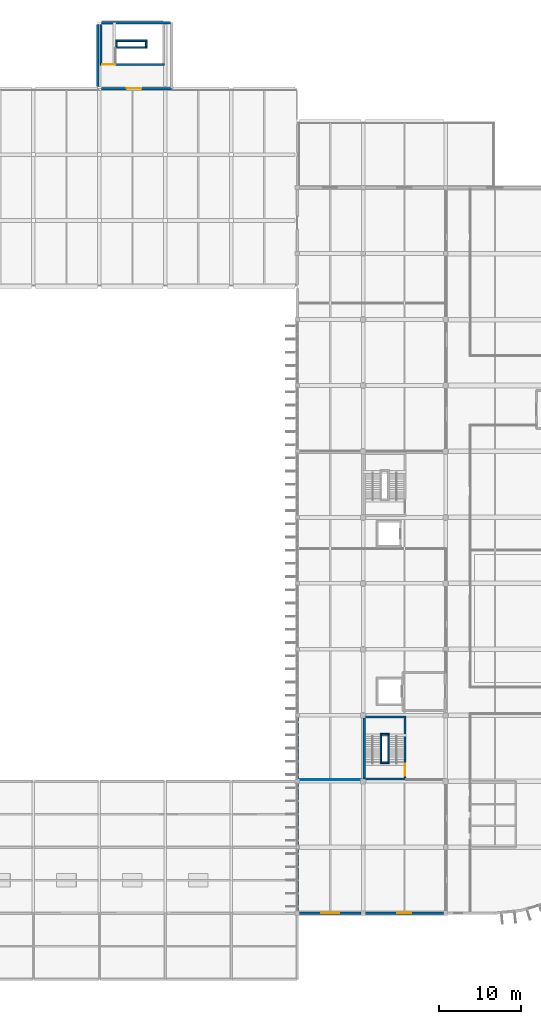
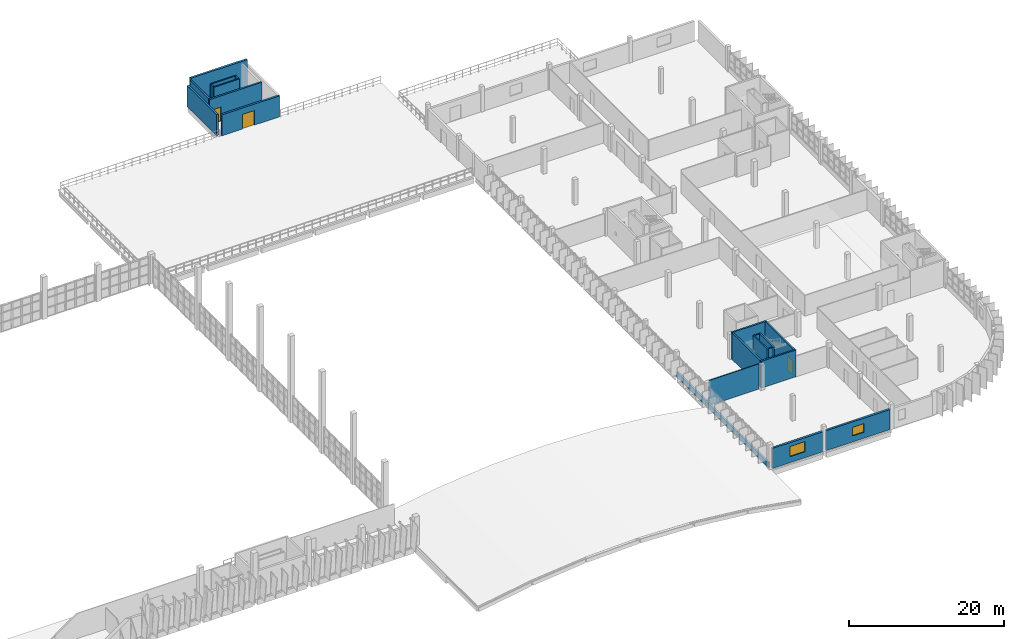
# One storey, part 50 of 66: 23 walls, 3 doors, 2 windows, 5 openings.
"""IFC4 building model written with IfcOpenShell, lengths in metres."""

from ifc_helpers import new_model, si_unit, direction, frame, frame_2d, origin, place, context, subcontext, project, spatial, rectangle, extrude, material, layer, layer_set, type_object, element, fill, save


model = new_model("IFC4")

# Units and contexts
model_context = context("Model", 3, precision=1e-05, world=origin(), true_north=direction((0.0, 1.0)))
body_context = subcontext(model_context, "Body", "Model", "MODEL_VIEW")
ifc_project = project(units=[si_unit("LENGTHUNIT", "METRE"), si_unit("AREAUNIT", "SQUARE_METRE"), si_unit("VOLUMEUNIT", "CUBIC_METRE"), si_unit("PLANEANGLEUNIT", "RADIAN"), si_unit("MASSUNIT", "GRAM", prefix="KILO")], contexts=[model_context])

# Site, building, storey
site_placement = place(None, origin())
site = spatial("IfcSite", under=ifc_project, at=site_placement, CompositionType="ELEMENT")
building_placement = place(site_placement, origin())
building = spatial("IfcBuilding", under=site, at=building_placement, Name="Drelvana Railside Aquatics Centre", CompositionType="ELEMENT")
storey_placement = place(building_placement, frame((0.0, 0.0, 10.199951171875)))
storey = spatial("IfcBuildingStorey", under=building, at=storey_placement, Name="L02", CompositionType="ELEMENT", Elevation=10.199951171875)

# Wall, opening, door
ifc_material_1 = material(Name="Concrete C40/50", Category="concrete")
ifc_layer_1 = layer(ifc_material_1, 0.25, Name="Concrete C40/50")
ifc_layer_set_1 = layer_set([ifc_layer_1], Name="Concrete C40/50")
wall_type_1 = type_object("IfcWallType", Name="WL-CORE-250", PredefinedType="SHEAR", material=ifc_layer_set_1)
wall_1_placement = place(storey_placement, frame((120.10009765625, 110.925048828125, 0.0), z_axis=(0.0, 0.0, 1.0), x_axis=(1.0, 0.0, 0.0)))
wall_1 = element("IfcWall", 1, at=wall_1_placement, inside=storey, type_object=wall_type_1, Name="Core 5 Changing Pavilion North S core wall (L02)", PredefinedType="SHEAR", context=body_context, shape_type="SweptSolid", body=[
    extrude(rectangle(XDim=7.7998046875, YDim=0.25, at=frame_2d((3.89990234375, 0.0))), origin(), (0.0, 0.0, 1.0), 3.9599609375),
])
opening_1_placement = place(wall_1_placement, frame((0.25, 0.0, 0.0)))
opening_1 = element("IfcOpeningElement", 2, at=opening_1_placement, cuts=wall_1, Name="Opening D-01-034", PredefinedType="OPENING", context=body_context, shape_type="SweptSolid", body=[
    extrude(rectangle(XDim=1.449951171875, YDim=2.199951171875, at=frame_2d((0.72509765625, 1.10009765625))), frame((0.0, 0.135009765625, 0.0), z_axis=(0.0, -1.0, 0.0), x_axis=(1.0, 0.0, 0.0)), (0.0, 0.0, 1.0), 0.27001953125),
])
ifc_material_2 = material(Name="Fire-rated steel and vision-panel door", Category="steel")
door_type_1 = type_object("IfcDoorType", Name="DR-INT-STAIR-1450x2200", OperationType="DOUBLE_DOOR_SINGLE_SWING", PredefinedType="DOOR", material=ifc_material_2)
door_1_placement = place(opening_1_placement, origin())
door_1 = element("IfcDoor", 3, at=door_1_placement, inside=storey, type_object=door_type_1, Name="Stair ST-05 lobby door D-01-034", OperationType="DOUBLE_DOOR_SINGLE_SWING", OverallHeight=2.199951171875, OverallWidth=1.449951171875, PredefinedType="DOOR", context=body_context, shape_type="SweptSolid", body=[
    extrude(rectangle(XDim=1.449951171875, YDim=2.199951171875, at=frame_2d((0.72509765625, 1.10009765625))), frame((0.0, 0.02490234375, 0.0), z_axis=(0.0, -1.0, 0.0), x_axis=(1.0, 0.0, 0.0)), (0.0, 0.0, 1.0), 0.050048828125),
])
fill(opening_1, door_1)

# Walls
wall_2_placement = place(storey_placement, frame((120.22509765625, 111.050048828125, 0.0), z_axis=(0.0, 0.0, 1.0), x_axis=(0.0, 1.0, 0.0)))
element("IfcWall", 4, at=wall_2_placement, inside=storey, type_object=wall_type_1, Name="Core 5 Changing Pavilion North W core wall (L02)", PredefinedType="SHEAR", context=body_context, shape_type="SweptSolid", body=[
    extrude(rectangle(XDim=4.699951171875, YDim=0.25, at=frame_2d((2.35009765625, 0.0))), origin(), (0.0, 0.0, 1.0), 3.9599609375),
])
for number, where, z_axis, x_axis, name in (
    (5, (152.0, 24.284912109375, 0.0), (0.0, 0.0, 1.0), (1.0, 0.0, 0.0), "Core 6 Federation Wing Court-West S core wall (L02)"),
    (6, (152.0, 31.77490234375, 0.0), (0.0, 0.0, 1.0), (1.0, 0.0, 0.0), "Core 6 Federation Wing Court-West N core wall (L02)"),
):
    element("IfcWall", number, at=place(storey_placement, frame(where, z_axis=z_axis, x_axis=x_axis)), inside=storey, type_object=wall_type_1, Name=name, PredefinedType="SHEAR", context=body_context, shape_type="SweptSolid", body=[
        extrude(rectangle(XDim=5.199951171875, YDim=0.25, at=frame_2d((2.60009765625, 0.0))), origin(), (0.0, 0.0, 1.0), 4.199951171875),
    ])
wall_3_placement = place(storey_placement, frame((152.125, 24.409912109375, 0.0), z_axis=(0.0, 0.0, 1.0), x_axis=(0.0, 1.0, 0.0)))
element("IfcWall", 7, at=wall_3_placement, inside=storey, type_object=wall_type_1, Name="Core 6 Federation Wing Court-West W core wall (L02)", PredefinedType="SHEAR", context=body_context, shape_type="SweptSolid", body=[
    extrude(rectangle(XDim=7.239990234375, YDim=0.25, at=frame_2d((3.6201171875, 0.0))), origin(), (0.0, 0.0, 1.0), 4.199951171875),
])

# Wall, opening, door
wall_4_placement = place(storey_placement, frame((157.074951171875, 24.409912109375, 0.0), z_axis=(0.0, 0.0, 1.0), x_axis=(0.0, 1.0, 0.0)))
wall_4 = element("IfcWall", 8, at=wall_4_placement, inside=storey, type_object=wall_type_1, Name="Core 6 Federation Wing Court-West E core wall (L02)", PredefinedType="SHEAR", context=body_context, shape_type="SweptSolid", body=[
    extrude(rectangle(XDim=7.239990234375, YDim=0.25, at=frame_2d((3.6201171875, 0.0))), origin(), (0.0, 0.0, 1.0), 4.199951171875),
])
opening_2_placement = place(wall_4_placement, frame((0.25, 0.0, 0.0)))
opening_2 = element("IfcOpeningElement", 9, at=opening_2_placement, cuts=wall_4, Name="Opening D-01-038", PredefinedType="OPENING", context=body_context, shape_type="SweptSolid", body=[
    extrude(rectangle(XDim=1.449951171875, YDim=2.199951171875, at=frame_2d((0.72509765625, 1.10009765625))), frame((0.0, 0.135009765625, 0.0), z_axis=(0.0, -1.0, 0.0), x_axis=(1.0, 0.0, 0.0)), (0.0, 0.0, 1.0), 0.27001953125),
])
door_2_placement = place(opening_2_placement, origin())
door_2 = element("IfcDoor", 10, at=door_2_placement, inside=storey, type_object=door_type_1, Name="Stair ST-06 lobby door D-01-038", OperationType="DOUBLE_DOOR_SINGLE_SWING", OverallHeight=2.199951171875, OverallWidth=1.449951171875, PredefinedType="DOOR", context=body_context, shape_type="SweptSolid", body=[
    extrude(rectangle(XDim=1.449951171875, YDim=2.199951171875, at=frame_2d((0.72509765625, 1.10009765625))), frame((0.0, 0.02490234375, 0.0), z_axis=(0.0, -1.0, 0.0), x_axis=(1.0, 0.0, 0.0)), (0.0, 0.0, 1.0), 0.050048828125),
])
fill(opening_2, door_2)

# Walls
ifc_layer_2 = layer(ifc_material_1, 0.300048828125, Name="Concrete C40/50")
ifc_layer_set_2 = layer_set([ifc_layer_2], Name="Concrete C40/50")
wall_type_2 = type_object("IfcWallType", Name="WL-CORE-300", PredefinedType="SHEAR", material=ifc_layer_set_2)
wall_5_placement = place(storey_placement, frame((120.24609375, 116.0, 0.0), z_axis=(0.0, 0.0, 1.0), x_axis=(1.0, 0.0, 0.0)))
element("IfcWall", 11, at=wall_5_placement, inside=storey, type_object=wall_type_2, Name="Core 5 north L02 shear wall", PredefinedType="SHEAR", context=body_context, shape_type="SweptSolid", body=[
    extrude(rectangle(XDim=8.40380859375, YDim=0.300048828125, at=frame_2d((4.201904296875, 0.0))), origin(), (0.0, 0.0, 1.0), 4.199951171875),
])
ifc_material_3 = material(Name="Acoustic twin-stud gypsum partition", Category="gypsum")
ifc_layer_3 = layer(ifc_material_3, 0.1201171875, Name="Acoustic twin-stud gypsum partition")
ifc_layer_set_3 = layer_set([ifc_layer_3], Name="Acoustic twin-stud gypsum partition")
wall_type_3 = type_object("IfcWallType", Name="WL-DRY-120", PredefinedType="PARTITIONING", material=ifc_layer_set_3)
wall_6_placement = place(storey_placement, frame((144.277099609375, 24.199951171875, 0.0), z_axis=(0.0, 0.0, 1.0), x_axis=(1.0, 0.0, 0.0)))
element("IfcWall", 12, at=wall_6_placement, inside=storey, type_object=wall_type_3, Name="V5 L02 C6 alcove SW wall", PredefinedType="PARTITIONING", context=body_context, shape_type="SweptSolid", body=[
    extrude(rectangle(XDim=7.4208984375, YDim=0.1201171875, at=frame_2d((3.71044921875, 0.0))), origin(), (0.0, 0.0, 1.0), 3.945068359375),
])
ifc_material_4 = material(Name="Glazed ceramic spandrel wall", Category="masonry")
ifc_layer_4 = layer(ifc_material_4, 0.27001953125, Name="Glazed ceramic spandrel wall")
ifc_layer_set_4 = layer_set([ifc_layer_4], Name="Glazed ceramic spandrel wall")
wall_type_4 = type_object("IfcWallType", Name="WL-EXT-270", PredefinedType="STANDARD", material=ifc_layer_set_4)
for number, where, z_axis, x_axis, name in (
    (13, (144.0, 8.27099609375, 0.0), (0.0, 0.0, 1.0), (0.0, 1.0, 0.0), "V5 West L02 south sill wall 8"),
    (14, (144.0, 16.27099609375, 0.0), (0.0, 0.0, 1.0), (0.0, 1.0, 0.0), "V5 West L02 south sill wall 16"),
):
    element("IfcWall", number, at=place(storey_placement, frame(where, z_axis=z_axis, x_axis=x_axis)), inside=storey, type_object=wall_type_4, Name=name, PredefinedType="STANDARD", context=body_context, shape_type="SweptSolid", body=[
        extrude(rectangle(XDim=7.4580078125, YDim=0.27001953125, at=frame_2d((3.72900390625, 0.0))), origin(), (0.0, 0.0, 1.0), 0.800048828125),
    ])
wall_7_placement = place(storey_placement, frame((144.0, 24.27099609375, 0.0), z_axis=(0.0, 0.0, 1.0), x_axis=(0.0, 1.0, 0.0)))
element("IfcWall", 15, at=wall_7_placement, inside=storey, type_object=wall_type_4, Name="V5 West L02 sill spandrel", PredefinedType="STANDARD", context=body_context, shape_type="SweptSolid", body=[
    extrude(rectangle(XDim=7.48291015625, YDim=0.27001953125, at=frame_2d((3.741455078125, 0.0))), origin(), (0.0, 0.0, 1.0), 0.800048828125),
])
ifc_material_5 = material(Name="Glazed ceramic and masonry facade wall", Category="masonry")
ifc_layer_5 = layer(ifc_material_5, 0.2900390625, Name="Glazed ceramic and masonry facade wall")
ifc_layer_set_5 = layer_set([ifc_layer_5], Name="Glazed ceramic and masonry facade wall")
wall_type_5 = type_object("IfcWallType", Name="WL-EXT-290", PredefinedType="STANDARD", material=ifc_layer_set_5)
wall_8_placement = place(storey_placement, frame((119.800048828125, 108.24609375, 0.0), z_axis=(0.0, 0.0, 1.0), x_axis=(0.0, 1.0, 0.0)))
element("IfcWall", 16, at=wall_8_placement, inside=storey, type_object=wall_type_5, Name="Core 5 L02 west wall", PredefinedType="STANDARD", context=body_context, shape_type="SweptSolid", body=[
    extrude(rectangle(XDim=7.5078125, YDim=0.2900390625, at=frame_2d((3.75390625, 0.0))), origin(), (0.0, 0.0, 1.0), 3.300048828125),
])

# Wall, opening, door
wall_9_placement = place(storey_placement, frame((120.24609375, 108.0, 0.0), z_axis=(0.0, 0.0, 1.0), x_axis=(1.0, 0.0, 0.0)))
wall_9 = element("IfcWall", 17, at=wall_9_placement, inside=storey, type_object=wall_type_5, Name="Core 5 L02 terrace lobby south wall", PredefinedType="STANDARD", context=body_context, shape_type="SweptSolid", body=[
    extrude(rectangle(XDim=8.553955078125, YDim=0.2900390625, at=frame_2d((4.27685546875, 0.0))), origin(), (0.0, 0.0, 1.0), 3.300048828125),
])
opening_3_placement = place(wall_9_placement, frame((3.053955078125, 0.0, 0.0)))
opening_3 = element("IfcOpeningElement", 18, at=opening_3_placement, cuts=wall_9, Name="Opening EX-05-016", PredefinedType="OPENING", context=body_context, shape_type="SweptSolid", body=[
    extrude(rectangle(XDim=1.800048828125, YDim=2.300048828125, at=frame_2d((0.89990234375, 1.14990234375))), frame((0.0, 0.155029296875, 0.0), z_axis=(0.0, -1.0, 0.0), x_axis=(1.0, 0.0, 0.0)), (0.0, 0.0, 1.0), 0.31005859375),
])
ifc_material_6 = material(Name="Thermally broken bronze-anodised aluminium and glazed door", Category="aluminium")
door_type_2 = type_object("IfcDoorType", Name="DR-EXT-TER-1800x2300", OperationType="DOUBLE_DOOR_SINGLE_SWING", PredefinedType="DOOR", material=ifc_material_6)
door_3_placement = place(opening_3_placement, frame((1.800048828125, 0.0, 0.0), z_axis=(0.0, 0.0, 1.0), x_axis=(-1.0, 0.0, 0.0)))
door_3 = element("IfcDoor", 19, at=door_3_placement, inside=storey, type_object=door_type_2, Name="Roof-Garden Terrace door EX-05-016", OperationType="DOUBLE_DOOR_SINGLE_SWING", OverallHeight=2.300048828125, OverallWidth=1.800048828125, PredefinedType="DOOR", context=body_context, shape_type="SweptSolid", body=[
    extrude(rectangle(XDim=1.800048828125, YDim=2.300048828125, at=frame_2d((0.89990234375, 1.14990234375))), frame((0.0, 0.02490234375, 0.0), z_axis=(0.0, -1.0, 0.0), x_axis=(1.0, 0.0, 0.0)), (0.0, 0.0, 1.0), 0.050048828125),
])
fill(opening_3, door_3)

# Wall, opening, window
ifc_material_7 = material(Name="Terracotta rainscreen masonry wall", Category="masonry")
ifc_layer_6 = layer(ifc_material_7, 0.31005859375, Name="Terracotta rainscreen masonry wall")
ifc_layer_set_6 = layer_set([ifc_layer_6], Name="Terracotta rainscreen masonry wall")
wall_type_6 = type_object("IfcWallType", Name="WL-EXT-310", PredefinedType="STANDARD", material=ifc_layer_set_6)
wall_10_placement = place(storey_placement, frame((144.27099609375, 8.0, 0.0), z_axis=(0.0, 0.0, 1.0), x_axis=(1.0, 0.0, 0.0)))
wall_10 = element("IfcWall", 20, at=wall_10_placement, inside=storey, type_object=wall_type_6, Name="V5 L02 end bay wall", PredefinedType="STANDARD", context=body_context, shape_type="SweptSolid", body=[
    extrude(rectangle(XDim=7.48291015625, YDim=0.31005859375, at=frame_2d((3.741455078125, 0.0))), origin(), (0.0, 0.0, 1.0), 3.150146484375),
])
opening_4_placement = place(wall_10_placement, frame((2.62890625, 0.0, 0.949951171875)))
opening_4 = element("IfcOpeningElement", 21, at=opening_4_placement, cuts=wall_10, Name="Opening W-26", PredefinedType="OPENING", context=body_context, shape_type="SweptSolid", body=[
    extrude(rectangle(XDim=2.199951171875, YDim=1.60009765625, at=frame_2d((1.10009765625, 0.800048828125))), frame((0.0, 0.1650390625, 0.0), z_axis=(0.0, -1.0, 0.0), x_axis=(1.0, 0.0, 0.0)), (0.0, 0.0, 1.0), 0.330078125),
])
ifc_material_8 = material(Name="Double-glazed solar-control aluminium window", Category="aluminium")
window_type_1 = type_object("IfcWindowType", Name="WIN-26", PartitioningType="SINGLE_PANEL", PredefinedType="WINDOW", material=ifc_material_8)
window_1_placement = place(opening_4_placement, origin())
window_1 = element("IfcWindow", 22, at=window_1_placement, inside=storey, type_object=window_type_1, Name="V5 L02 end window WIN-26", OverallHeight=1.60009765625, OverallWidth=2.199951171875, PartitioningType="SINGLE_PANEL", PredefinedType="WINDOW", context=body_context, shape_type="SweptSolid", body=[
    extrude(rectangle(XDim=2.199951171875, YDim=1.60009765625, at=frame_2d((1.10009765625, 0.800048828125))), frame((0.0, 0.030029296875, 0.0), z_axis=(0.0, -1.0, 0.0), x_axis=(1.0, 0.0, 0.0)), (0.0, 0.0, 1.0), 0.06005859375),
])
fill(opening_4, window_1)

wall_11_placement = place(storey_placement, frame((152.24609375, 8.0, 0.0), z_axis=(0.0, 0.0, 1.0), x_axis=(1.0, 0.0, 0.0)))
wall_11 = element("IfcWall", 23, at=wall_11_placement, inside=storey, type_object=wall_type_6, Name="V5 L02 end bay wall", PredefinedType="STANDARD", context=body_context, shape_type="SweptSolid", body=[
    extrude(rectangle(XDim=9.5078125, YDim=0.31005859375, at=frame_2d((4.75390625, 0.0))), origin(), (0.0, 0.0, 1.0), 3.150146484375),
])
opening_5_placement = place(wall_11_placement, frame((3.904052734375, 0.0, 0.949951171875)))
opening_5 = element("IfcOpeningElement", 24, at=opening_5_placement, cuts=wall_11, Name="Opening W-28", PredefinedType="OPENING", context=body_context, shape_type="SweptSolid", body=[
    extrude(rectangle(XDim=1.699951171875, YDim=1.35009765625, at=frame_2d((0.85009765625, 0.675048828125))), frame((0.0, 0.1650390625, 0.0), z_axis=(0.0, -1.0, 0.0), x_axis=(1.0, 0.0, 0.0)), (0.0, 0.0, 1.0), 0.330078125),
])
window_type_2 = type_object("IfcWindowType", Name="WIN-28", PartitioningType="SINGLE_PANEL", PredefinedType="WINDOW", material=ifc_material_8)
window_2_placement = place(opening_5_placement, origin())
window_2 = element("IfcWindow", 25, at=window_2_placement, inside=storey, type_object=window_type_2, Name="V5 L02 end window WIN-28", OverallHeight=1.35009765625, OverallWidth=1.699951171875, PartitioningType="SINGLE_PANEL", PredefinedType="WINDOW", context=body_context, shape_type="SweptSolid", body=[
    extrude(rectangle(XDim=1.699951171875, YDim=1.35009765625, at=frame_2d((0.85009765625, 0.675048828125))), frame((0.0, 0.030029296875, 0.0), z_axis=(0.0, -1.0, 0.0), x_axis=(1.0, 0.0, 0.0)), (0.0, 0.0, 1.0), 0.06005859375),
])
fill(opening_5, window_2)

# Walls
ifc_layer_7 = layer(ifc_material_1, 0.199951171875, Name="Concrete C40/50")
ifc_layer_set_7 = layer_set([ifc_layer_7], Name="Concrete C40/50")
wall_type_7 = type_object("IfcWallType", Name="WL-SHFT-200", PredefinedType="SHEAR", material=ifc_layer_set_7)
for number, where, z_axis, x_axis, name in (
    (26, (121.969970703125, 113.0, 0.0), (0.0, 0.0, 1.0), (1.0, 0.0, 0.0), "Stair ST-05 central spine wall A (L02)"),
    (27, (121.969970703125, 113.800048828125, 0.0), (0.0, 0.0, 1.0), (1.0, 0.0, 0.0), "Stair ST-05 central spine wall B (L02)"),
):
    element("IfcWall", number, at=place(storey_placement, frame(where, z_axis=z_axis, x_axis=x_axis)), inside=storey, type_object=wall_type_7, Name=name, PredefinedType="SHEAR", context=body_context, shape_type="SweptSolid", body=[
        extrude(rectangle(XDim=3.820068359375, YDim=0.199951171875, at=frame_2d((1.91015625, 0.0))), origin(), (0.0, 0.0, 1.0), 3.9599609375),
    ])
for number, where, z_axis, x_axis, name in (
    (28, (122.070068359375, 113.10009765625, 0.0), (0.0, 0.0, 1.0), (0.0, 1.0, 0.0), "Stair ST-05 central spine wall W (L02)"),
    (29, (125.68994140625, 113.10009765625, 0.0), (0.0, 0.0, 1.0), (0.0, 1.0, 0.0), "Stair ST-05 central spine wall E (L02)"),
):
    element("IfcWall", number, at=place(storey_placement, frame(where, z_axis=z_axis, x_axis=x_axis)), inside=storey, type_object=wall_type_7, Name=name, PredefinedType="SHEAR", context=body_context, shape_type="SweptSolid", body=[
        extrude(rectangle(XDim=0.599853515625, YDim=0.199951171875, at=frame_2d((0.2998046875, 0.0))), origin(), (0.0, 0.0, 1.0), 3.9599609375),
    ])
for number, where, z_axis, x_axis, name in (
    (30, (154.14990234375, 26.14990234375, 0.0), (0.0, 0.0, 1.0), (0.0, 1.0, 0.0), "Stair ST-06 central spine wall A (L02)"),
    (31, (155.050048828125, 26.14990234375, 0.0), (0.0, 0.0, 1.0), (0.0, 1.0, 0.0), "Stair ST-06 central spine wall B (L02)"),
):
    element("IfcWall", number, at=place(storey_placement, frame(where, z_axis=z_axis, x_axis=x_axis)), inside=storey, type_object=wall_type_7, Name=name, PredefinedType="SHEAR", context=body_context, shape_type="SweptSolid", body=[
        extrude(rectangle(XDim=3.66015625, YDim=0.199951171875, at=frame_2d((1.830078125, 0.0))), origin(), (0.0, 0.0, 1.0), 4.199951171875),
    ])
for number, where, z_axis, x_axis, name in (
    (32, (154.25, 26.25, 0.0), (0.0, 0.0, 1.0), (1.0, 0.0, 0.0), "Stair ST-06 central spine wall S (L02)"),
    (33, (154.25, 29.7099609375, 0.0), (0.0, 0.0, 1.0), (1.0, 0.0, 0.0), "Stair ST-06 central spine wall N (L02)"),
):
    element("IfcWall", number, at=place(storey_placement, frame(where, z_axis=z_axis, x_axis=x_axis)), inside=storey, type_object=wall_type_7, Name=name, PredefinedType="SHEAR", context=body_context, shape_type="SweptSolid", body=[
        extrude(rectangle(XDim=0.699951171875, YDim=0.199951171875, at=frame_2d((0.35009765625, 0.0))), origin(), (0.0, 0.0, 1.0), 4.199951171875),
    ])

save(model, "model.ifc")
